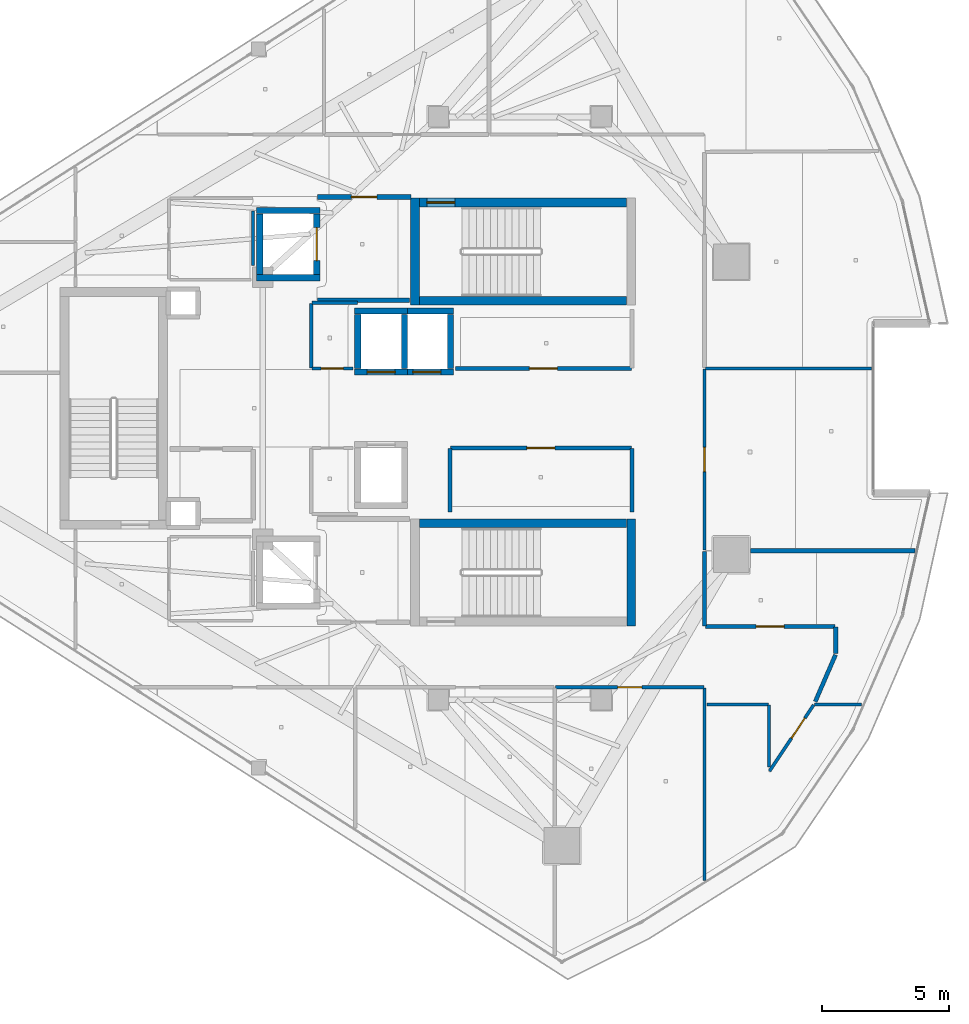
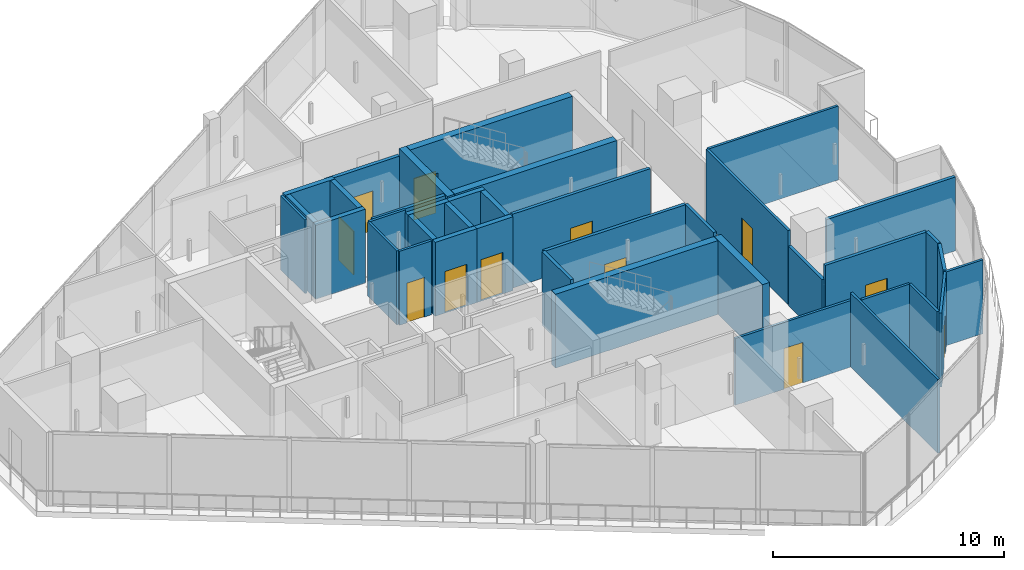
# One storey, part 16 of 23: 39 walls, 12 doors, 12 openings.
"""IFC4 building model written with IfcOpenShell, lengths in metres."""

import ifcopenshell
import ifcopenshell.guid

model = None  # the IFC model being written
_history = None  # IfcOwnerHistory: only IFC2X3 demands one
_inside = {}  # id of a spatial element -> (the spatial element, [elements in it])
_under = {}  # id of a project, library or spatial element -> (it, [spatial elements below it])
_declared = {}  # id of a project -> (the project, [libraries it declares])
_typed = {}  # id of a type object -> (the type object, [elements of that type])
_made_of = {}  # id of a material, layer set ... -> (it, [elements and type objects made of it])


def new_model(schema):
    """Start an empty IFC model of exactly this schema.

    Asked for "IFC4X3", IfcOpenShell would pick the latest addendum, in which some entities
    have other attributes; the version numbers below select the first issue.
    IFC2X3 requires an IfcOwnerHistory on every rooted entity: one is made here for all.
    """
    global model, _history
    if schema == "IFC4X3":
        model = ifcopenshell.file(schema_version=(4, 3, 0, 0))
    else:
        model = ifcopenshell.file(schema=schema)
    _inside.clear()
    _under.clear()
    _declared.clear()
    _typed.clear()
    _made_of.clear()
    _history = None
    if model.schema == "IFC2X3":
        org = make("IfcOrganization", Name="unknown")
        user = make(
            "IfcPersonAndOrganization",
            ThePerson=make("IfcPerson", FamilyName="unknown"),
            TheOrganization=org,
        )
        app = make(
            "IfcApplication",
            ApplicationDeveloper=org,
            Version="unknown",
            ApplicationFullName="unknown",
            ApplicationIdentifier="unknown",
        )
        _history = make(
            "IfcOwnerHistory",
            OwningUser=user,
            OwningApplication=app,
            ChangeAction="ADDED",
            CreationDate=0,
        )
    return model


def make(cls, **values):
    """One entity of the class cls with the attributes given. An attribute that is None is left unset."""
    return model.create_entity(
        cls, **{name: value for name, value in values.items() if value is not None}
    )


def rooted(cls, **values):
    """An entity with a GlobalId (a new one), such as an element, a storey or a relation."""
    return make(cls, GlobalId=ifcopenshell.guid.new(), OwnerHistory=_history, **values)


def si_unit(unit_type, name, prefix=None):
    """IfcSIUnit, for example si_unit("LENGTHUNIT", "METRE", prefix="MILLI")."""
    return make("IfcSIUnit", UnitType=unit_type, Prefix=prefix, Name=name)


def assignment(units):
    """IfcUnitAssignment: the units of a project."""
    return None if units is None else make("IfcUnitAssignment", Units=units)


def point(xyz):
    """IfcCartesianPoint."""
    return None if xyz is None else make("IfcCartesianPoint", Coordinates=xyz)


def direction(xyz):
    """IfcDirection."""
    return None if xyz is None else make("IfcDirection", DirectionRatios=xyz)


def frame(location, z_axis=None, x_axis=None):
    """IfcAxis2Placement3D, a coordinate frame: its origin and axes. An axis left out is left unset."""
    return make(
        "IfcAxis2Placement3D",
        Location=point(location),
        Axis=direction(z_axis),
        RefDirection=direction(x_axis),
    )


def frame_2d(location, x_axis=None):
    """IfcAxis2Placement2D, a coordinate frame in the plane: its origin and x axis."""
    return make(
        "IfcAxis2Placement2D", Location=point(location), RefDirection=direction(x_axis)
    )


def origin():
    """The frame at (0, 0, 0) with its axes left unset."""
    return frame((0.0, 0.0, 0.0))


def place(relative_to, where):
    """IfcLocalPlacement: puts the frame where relative to a parent placement (None: the world)."""
    return make(
        "IfcLocalPlacement", PlacementRelTo=relative_to, RelativePlacement=where
    )


def context(
    kind, dimensions, precision=None, world=None, true_north=None, identifier=None
):
    """IfcGeometricRepresentationContext, for example the 3D "Model" context."""
    return make(
        "IfcGeometricRepresentationContext",
        ContextIdentifier=identifier,
        ContextType=kind,
        CoordinateSpaceDimension=dimensions,
        Precision=precision,
        WorldCoordinateSystem=world,
        TrueNorth=true_north,
    )


def subcontext(parent, identifier, kind, view, scale=None):
    """IfcGeometricRepresentationSubContext, for example "Body" below "Model"."""
    return make(
        "IfcGeometricRepresentationSubContext",
        ContextIdentifier=identifier,
        ContextType=kind,
        ParentContext=parent,
        TargetScale=scale,
        TargetView=view,
    )


def project(units=None, contexts=None):
    """IfcProject with its units and contexts."""
    return rooted(
        "IfcProject",
        Name="project",
        RepresentationContexts=contexts,
        UnitsInContext=assignment(units),
    )


def spatial(cls, under=None, at=None, **own):
    """A site, building, storey or space (cls), placed at a placement, below another one or the project."""
    s = rooted(cls, ObjectPlacement=at, **own)
    if under is not None:
        _under.setdefault(under.id(), (under, []))[1].append(s)
    return s


def profile(cls, at=None, kind="AREA", **sizes):
    """A parametric profile (cls). Its sizes go by their IFC names, for example OverallWidth=200.0."""
    return make(cls, ProfileType=kind, Position=at, **sizes)


def rectangle(**sizes):
    """IfcRectangleProfileDef."""
    return profile("IfcRectangleProfileDef", **sizes)


def extrude(swept, where, along, depth):
    """IfcExtrudedAreaSolid: the profile swept, set in the frame where, extruded along a direction by depth."""
    return make(
        "IfcExtrudedAreaSolid",
        SweptArea=swept,
        Position=where,
        ExtrudedDirection=direction(along),
        Depth=depth,
    )


def shape(context_of_items, identifier, shape_type, items):
    """IfcShapeRepresentation: the items that make up one representation, for example the "Body"."""
    return make(
        "IfcShapeRepresentation",
        ContextOfItems=context_of_items,
        RepresentationIdentifier=identifier,
        RepresentationType=shape_type,
        Items=items,
    )


def material(Name=None, Category=None):
    """IfcMaterial."""
    return make("IfcMaterial", Name=Name, Category=Category)


def layer(
    of_material, thickness, ventilated=None, Name=None, Category=None, Priority=None
):
    """IfcMaterialLayer: one layer of a wall or slab, of a material (None: an air gap)."""
    return make(
        "IfcMaterialLayer",
        Material=of_material,
        LayerThickness=thickness,
        IsVentilated=ventilated,
        Name=Name,
        Category=Category,
        Priority=Priority,
    )


def layer_set(layers, Name=None):
    """IfcMaterialLayerSet."""
    return make("IfcMaterialLayerSet", MaterialLayers=layers, LayerSetName=Name)


def made_of(thing, what):
    """Note that an element or type object is made of a material, layer set ...; save() writes the relation."""
    if what is not None:
        _made_of.setdefault(what.id(), (what, []))[1].append(thing)
    return thing


def type_object(cls, material=None, **own):
    """A type object (cls), such as IfcWallType, which elements share."""
    return made_of(rooted(cls, **own), material)


def element(
    cls,
    number,
    at=None,
    inside=None,
    cuts=None,
    type_object=None,
    material=None,
    context=None,
    identifier="Body",
    shape_type=None,
    held_by="IfcProductDefinitionShape",
    body=None,
    shapes=None,
    **own,
):
    """One element of the class cls, such as IfcWall. Its Tag is "e" and its number.

    at: its placement. inside: the storey or other place that contains it. cuts: it is an
    opening in that element (IfcRelVoidsElement). A single representation is given by context,
    identifier, shape_type and body (its items); several are given by shapes. held_by: the class
    of the entity that holds the representations. save() writes the other relations.
    """
    e = rooted(cls, Tag="e%d" % number, ObjectPlacement=at, **own)
    if body is not None:
        shapes = [shape(context, identifier, shape_type, body)]
    if shapes is not None:
        e.Representation = make(held_by, Representations=shapes)
    if inside is not None:
        _inside.setdefault(inside.id(), (inside, []))[1].append(e)
    if cuts is not None:
        rooted(
            "IfcRelVoidsElement", RelatingBuildingElement=cuts, RelatedOpeningElement=e
        )
    if type_object is not None:
        _typed.setdefault(type_object.id(), (type_object, []))[1].append(e)
    return made_of(e, material)


def fill(opening, filler):
    """IfcRelFillsElement: the door or window that sits in an opening."""
    return rooted(
        "IfcRelFillsElement",
        RelatingOpeningElement=opening,
        RelatedBuildingElement=filler,
    )


def aggregate(whole, parts):
    """IfcRelAggregates: a whole, such as a stair, and the parts it consists of."""
    return rooted("IfcRelAggregates", RelatingObject=whole, RelatedObjects=parts)


def save(model, path):
    """Write the relations noted so far, then the file.

    IfcRelAggregates (storeys below a building ...), IfcRelContainedInSpatialStructure (elements
    in a storey), IfcRelDefinesByType, IfcRelAssociatesMaterial and IfcRelDeclares: one each for
    every whole, place, type object, material and project.
    """
    for whole, parts in _under.values():
        aggregate(whole, parts)
    for where, things in _inside.values():
        rooted(
            "IfcRelContainedInSpatialStructure",
            RelatedElements=things,
            RelatingStructure=where,
        )
    for kind, things in _typed.values():
        rooted("IfcRelDefinesByType", RelatedObjects=things, RelatingType=kind)
    for what, things in _made_of.values():
        rooted("IfcRelAssociatesMaterial", RelatedObjects=things, RelatingMaterial=what)
    for by, libraries in _declared.values():
        rooted("IfcRelDeclares", RelatingContext=by, RelatedDefinitions=libraries)
    model.write(path)


model = new_model("IFC4")

# Units and contexts
model_context = context("Model", 3, precision=1e-05, world=origin(), true_north=direction((0.0, 1.0)))
body_context = subcontext(model_context, "Body", "Model", "MODEL_VIEW")
ifc_project = project(units=[si_unit("LENGTHUNIT", "METRE"), si_unit("AREAUNIT", "SQUARE_METRE"), si_unit("VOLUMEUNIT", "CUBIC_METRE"), si_unit("PLANEANGLEUNIT", "RADIAN"), si_unit("MASSUNIT", "GRAM", prefix="KILO")], contexts=[model_context])

# Site, building, storey
site_placement = place(None, origin())
site = spatial("IfcSite", under=ifc_project, at=site_placement, CompositionType="ELEMENT")
building_placement = place(site_placement, origin())
building = spatial("IfcBuilding", under=site, at=building_placement, Name="Qorvath Tower", CompositionType="ELEMENT")
storey_placement = place(building_placement, frame((0.0, 0.0, 310.199951171875)))
storey = spatial("IfcBuildingStorey", under=building, at=storey_placement, Name="L72", CompositionType="ELEMENT", Elevation=310.199951171875)

# Wall
ifc_material_1 = material(Name="Gypsum shaftliner on steel studs", Category="steel")
ifc_layer_1 = layer(ifc_material_1, 0.179931640625)
ifc_layer_set_1 = layer_set([ifc_layer_1], Name="FW-LOBBY")
wall_type_1 = type_object("IfcWallType", Name="FW-LOBBY", PredefinedType="PARTITIONING", material=ifc_layer_set_1)
wall_1_placement = place(storey_placement, frame((-28.35498046875, 4.25, 0.0), z_axis=(0.0, 0.0, 1.0), x_axis=(1.0, 0.0, 0.0)))
element("IfcWall", 1, at=wall_1_placement, inside=storey, type_object=wall_type_1, Name="Interior Partition IW-T1-L72-001", PredefinedType="PARTITIONING", context=body_context, shape_type="SweptSolid", body=[
    extrude(rectangle(XDim=3.6220703125, YDim=0.179931640625, at=frame_2d((1.81103515625, 0.0))), origin(), (0.0, 0.0, 1.0), 3.91015625),
])

# Wall, opening, door
wall_2_placement = place(storey_placement, frame((-24.68408203125, 8.300048828125, 0.0), z_axis=(0.0, 0.0, 1.0), x_axis=(-1.0, 0.0, 0.0)))
wall_2 = element("IfcWall", 2, at=wall_2_placement, inside=storey, type_object=wall_type_1, Name="Interior Partition IW-T1-L72-002", PredefinedType="PARTITIONING", context=body_context, shape_type="SweptSolid", body=[
    extrude(rectangle(XDim=3.6708984375, YDim=0.179931640625, at=frame_2d((1.83544921875, 0.0))), origin(), (0.0, 0.0, 1.0), 3.529052734375),
])
opening_1_placement = place(wall_2_placement, frame((1.33544921875, 0.0, 0.0)))
opening_1 = element("IfcOpeningElement", 3, at=opening_1_placement, cuts=wall_2, Name="Opening D-T1-L72-19", PredefinedType="OPENING", context=body_context, shape_type="SweptSolid", body=[
    extrude(rectangle(XDim=1.0, YDim=2.14990234375, at=frame_2d((0.5, 1.074951171875))), frame((0.0, 0.10009765625, 0.0), z_axis=(0.0, -1.0, 0.0), x_axis=(1.0, 0.0, 0.0)), (0.0, 0.0, 1.0), 0.199951171875),
])
ifc_material_2 = material(Name="Painted galvanised hollow metal", Category="steel")
door_type_1 = type_object("IfcDoorType", Name="FD-60", OperationType="NOTDEFINED", PredefinedType="DOOR", material=ifc_material_2)
door_1_placement = place(opening_1_placement, origin())
door_1 = element("IfcDoor", 4, at=door_1_placement, inside=storey, type_object=door_type_1, Name="Lobby Fire Service Elevator North Door D-T1-L72-19", OperationType="SINGLE_SWING_RIGHT", OverallHeight=2.14990234375, OverallWidth=1.0, PredefinedType="DOOR", context=body_context, shape_type="SweptSolid", body=[
    extrude(rectangle(XDim=1.0, YDim=2.14990234375, at=frame_2d((0.5, 1.074951171875))), frame((0.0, 0.02490234375, 0.0), z_axis=(0.0, -1.0, 0.0), x_axis=(1.0, 0.0, 0.0)), (0.0, 0.0, 1.0), 0.050048828125),
])
fill(opening_1, door_1)

ifc_material_3 = material(Name="Double acoustic gypsum board on steel studs", Category="steel")
ifc_layer_2 = layer(ifc_material_3, 0.159912109375)
ifc_layer_set_2 = layer_set([ifc_layer_2], Name="IW-ACOUSTIC-160")
wall_type_2 = type_object("IfcWallType", Name="IW-ACOUSTIC-160", PredefinedType="PARTITIONING", material=ifc_layer_set_2)
wall_3_placement = place(storey_placement, frame((-22.933837890625, 1.56005859375, 0.0), z_axis=(0.0, 0.0, 1.0), x_axis=(1.0, 0.0, 0.0)))
wall_3 = element("IfcWall", 5, at=wall_3_placement, inside=storey, type_object=wall_type_2, Name="Interior Partition IW-T1-L72-013", PredefinedType="PARTITIONING", context=body_context, shape_type="SweptSolid", body=[
    extrude(rectangle(XDim=6.908935546875, YDim=0.159912109375, at=frame_2d((3.45458984375, 0.0))), origin(), (0.0, 0.0, 1.0), 3.91015625),
])
opening_2_placement = place(wall_3_placement, frame((2.904541015625, 0.0, 0.0)))
opening_2 = element("IfcOpeningElement", 6, at=opening_2_placement, cuts=wall_3, Name="Opening D-T1-L72-03", PredefinedType="OPENING", context=body_context, shape_type="SweptSolid", body=[
    extrude(rectangle(XDim=1.10009765625, YDim=2.14990234375, at=frame_2d((0.550048828125, 1.074951171875))), frame((0.0, 0.08984375, 0.0), z_axis=(0.0, -1.0, 0.0), x_axis=(1.0, 0.0, 0.0)), (0.0, 0.0, 1.0), 0.179931640625),
])
ifc_material_4 = material(Name="Anodised aluminium acoustic framed glass", Category="aluminium")
door_type_2 = type_object("IfcDoorType", Name="D-03", OperationType="NOTDEFINED", PredefinedType="DOOR", material=ifc_material_4)
door_2_placement = place(opening_2_placement, origin())
door_2 = element("IfcDoor", 7, at=door_2_placement, inside=storey, type_object=door_type_2, Name="L72-RCN North Executive Support Office Door D-T1-L72-03", OperationType="SINGLE_SWING_RIGHT", OverallHeight=2.14990234375, OverallWidth=1.10009765625, PredefinedType="DOOR", context=body_context, shape_type="SweptSolid", body=[
    extrude(rectangle(XDim=1.10009765625, YDim=2.14990234375, at=frame_2d((0.550048828125, 1.074951171875))), frame((0.0, 0.02490234375, 0.0), z_axis=(0.0, -1.0, 0.0), x_axis=(1.0, 0.0, 0.0)), (0.0, 0.0, 1.0), 0.050048828125),
])
fill(opening_2, door_2)

# Walls
for number, where, z_axis, x_axis, name in (
    (8, (-23.14990234375, -1.585205078125, 0.0), (0.0, 0.0, 1.0), (0.0, -1.0, 0.0), "Interior Partition IW-T1-L72-015"),
    (9, (-16.0, -4.0751953125, 0.0), (0.0, 0.0, 1.0), (0.0, 1.0, 0.0), "Interior Partition IW-T1-L72-016"),
):
    element("IfcWall", number, at=place(storey_placement, frame(where, z_axis=z_axis, x_axis=x_axis)), inside=storey, type_object=wall_type_2, Name=name, PredefinedType="PARTITIONING", context=body_context, shape_type="SweptSolid", body=[
        extrude(rectangle(XDim=2.489990234375, YDim=0.159912109375, at=frame_2d((1.2451171875, 0.0))), origin(), (0.0, 0.0, 1.0), 3.91015625),
    ])

# Wall, opening, door
wall_4_placement = place(storey_placement, frame((-16.02490234375, -1.56005859375, 0.0), z_axis=(0.0, 0.0, 1.0), x_axis=(-1.0, 0.0, 0.0)))
wall_4 = element("IfcWall", 10, at=wall_4_placement, inside=storey, type_object=wall_type_2, Name="Interior Partition IW-T1-L72-017", PredefinedType="PARTITIONING", context=body_context, shape_type="SweptSolid", body=[
    extrude(rectangle(XDim=7.10009765625, YDim=0.159912109375, at=frame_2d((3.550048828125, 0.0))), origin(), (0.0, 0.0, 1.0), 3.91015625),
])
opening_3_placement = place(wall_4_placement, frame((3.0, 0.0, 0.0)))
opening_3 = element("IfcOpeningElement", 11, at=opening_3_placement, cuts=wall_4, Name="Opening D-T1-L72-04", PredefinedType="OPENING", context=body_context, shape_type="SweptSolid", body=[
    extrude(rectangle(XDim=1.10009765625, YDim=2.14990234375, at=frame_2d((0.550048828125, 1.074951171875))), frame((0.0, 0.08984375, 0.0), z_axis=(0.0, -1.0, 0.0), x_axis=(1.0, 0.0, 0.0)), (0.0, 0.0, 1.0), 0.179931640625),
])
door_3_placement = place(opening_3_placement, origin())
door_3 = element("IfcDoor", 12, at=door_3_placement, inside=storey, type_object=door_type_2, Name="L72-RCS South Executive Support Office Door D-T1-L72-04", OperationType="SINGLE_SWING_LEFT", OverallHeight=2.14990234375, OverallWidth=1.10009765625, PredefinedType="DOOR", context=body_context, shape_type="SweptSolid", body=[
    extrude(rectangle(XDim=1.10009765625, YDim=2.14990234375, at=frame_2d((0.550048828125, 1.074951171875))), frame((0.0, 0.02490234375, 0.0), z_axis=(0.0, -1.0, 0.0), x_axis=(1.0, 0.0, 0.0)), (0.0, 0.0, 1.0), 0.050048828125),
])
fill(opening_3, door_3)

# Walls
wall_5_placement = place(storey_placement, frame((-4.883544921875, -5.596923828125, 0.0), z_axis=(0.0, 0.0, 1.0), x_axis=(-1.0, 0.0, 0.0)))
element("IfcWall", 13, at=wall_5_placement, inside=storey, type_object=wall_type_2, Name="Interior Partition IW-T1-L72-044", PredefinedType="PARTITIONING", context=body_context, shape_type="SweptSolid", body=[
    extrude(rectangle(XDim=6.4482421875, YDim=0.159912109375, at=frame_2d((3.22412109375, 0.0))), origin(), (0.0, 0.0, 1.0), 3.91015625),
])
wall_6_placement = place(storey_placement, frame((-13.14208984375, -5.621826171875, 0.0), z_axis=(0.0, 0.0, 1.0), x_axis=(0.0, -1.0, 0.0)))
element("IfcWall", 14, at=wall_6_placement, inside=storey, type_object=wall_type_2, Name="Interior Partition IW-T1-L72-045", PredefinedType="PARTITIONING", context=body_context, shape_type="SweptSolid", body=[
    extrude(rectangle(XDim=2.92529296875, YDim=0.159912109375, at=frame_2d((1.462646484375, 0.0))), origin(), (0.0, 0.0, 1.0), 3.130126953125),
])

# Wall, opening, door
wall_7_placement = place(storey_placement, frame((-13.1171875, -8.572021484375, 0.0), z_axis=(0.0, 0.0, 1.0), x_axis=(1.0, 0.0, 0.0)))
wall_7 = element("IfcWall", 15, at=wall_7_placement, inside=storey, type_object=wall_type_2, Name="Interior Partition IW-T1-L72-046", PredefinedType="PARTITIONING", context=body_context, shape_type="SweptSolid", body=[
    extrude(rectangle(XDim=5.100341796875, YDim=0.159912109375, at=frame_2d((2.55029296875, 0.0))), origin(), (0.0, 0.0, 1.0), 3.91015625),
])
opening_4_placement = place(wall_7_placement, frame((2.000244140625, 0.0, 0.0)))
opening_4 = element("IfcOpeningElement", 16, at=opening_4_placement, cuts=wall_7, Name="Opening D-T1-L72-13", PredefinedType="OPENING", context=body_context, shape_type="SweptSolid", body=[
    extrude(rectangle(XDim=1.10009765625, YDim=2.14990234375, at=frame_2d((0.550048828125, 1.074951171875))), frame((0.0, 0.08984375, 0.0), z_axis=(0.0, -1.0, 0.0), x_axis=(1.0, 0.0, 0.0)), (0.0, 0.0, 1.0), 0.179931640625),
])
door_4_placement = place(opening_4_placement, origin())
door_4 = element("IfcDoor", 17, at=door_4_placement, inside=storey, type_object=door_type_2, Name="L72-08 Digital Visualization Suite Door D-T1-L72-13", OperationType="SINGLE_SWING_RIGHT", OverallHeight=2.14990234375, OverallWidth=1.10009765625, PredefinedType="DOOR", context=body_context, shape_type="SweptSolid", body=[
    extrude(rectangle(XDim=1.10009765625, YDim=2.14990234375, at=frame_2d((0.550048828125, 1.074951171875))), frame((0.0, 0.02490234375, 0.0), z_axis=(0.0, -1.0, 0.0), x_axis=(1.0, 0.0, 0.0)), (0.0, 0.0, 1.0), 0.050048828125),
])
fill(opening_4, door_4)

# Walls
wall_8_placement = place(storey_placement, frame((-7.991943359375, -9.640869140625, 0.0), z_axis=(0.0, 0.0, 1.0), x_axis=(0.0, 1.0, 0.0)))
element("IfcWall", 18, at=wall_8_placement, inside=storey, type_object=wall_type_2, Name="Interior Partition IW-T1-L72-047", PredefinedType="PARTITIONING", context=body_context, shape_type="SweptSolid", body=[
    extrude(rectangle(XDim=1.0439453125, YDim=0.159912109375, at=frame_2d((0.52197265625, 0.0))), origin(), (0.0, 0.0, 1.0), 3.91015625),
])
wall_9_placement = place(storey_placement, frame((-8.79833984375, -11.525146484375, 0.0), z_axis=(0.0, 0.0, 1.0), x_axis=(0.397860715008, 0.917445830255, 0.0)))
element("IfcWall", 19, at=wall_9_placement, inside=storey, type_object=wall_type_2, Name="Interior Partition IW-T1-L72-048", PredefinedType="PARTITIONING", context=body_context, shape_type="SweptSolid", body=[
    extrude(rectangle(XDim=2.001708984375, YDim=0.159912109375, at=frame_2d((1.0009765625, 0.0))), origin(), (0.0, 0.0, 1.0), 3.91015625),
])
ifc_material_5 = material(Name="Gypsum board on metal studs with mineral wool", Category="gypsum")
ifc_layer_3 = layer(ifc_material_5, 0.125)
ifc_layer_set_3 = layer_set([ifc_layer_3], Name="IW-PART-125")
wall_type_3 = type_object("IfcWallType", Name="IW-PART-125", PredefinedType="PARTITIONING", material=ifc_layer_set_3)
wall_10_placement = place(storey_placement, frame((-28.60009765625, 4.125, 0.0), z_axis=(0.0, 0.0, 1.0), x_axis=(0.0, -1.0, 0.0)))
element("IfcWall", 20, at=wall_10_placement, inside=storey, type_object=wall_type_3, Name="Interior Partition IW-T1-L72-018", PredefinedType="PARTITIONING", context=body_context, shape_type="SweptSolid", body=[
    extrude(rectangle(XDim=2.539794921875, YDim=0.125, at=frame_2d((1.27001953125, 0.0))), origin(), (0.0, 0.0, 1.0), 3.91015625),
])

# Wall, opening, door
wall_11_placement = place(storey_placement, frame((-28.5751953125, 1.56005859375, 0.0), z_axis=(0.0, 0.0, 1.0), x_axis=(1.0, 0.0, 0.0)))
wall_11 = element("IfcWall", 21, at=wall_11_placement, inside=storey, type_object=wall_type_3, Name="Interior Partition IW-T1-L72-019", PredefinedType="PARTITIONING", context=body_context, shape_type="SweptSolid", body=[
    extrude(rectangle(XDim=1.609130859375, YDim=0.125, at=frame_2d((0.8046875, 0.0))), origin(), (0.0, 0.0, 1.0), 3.91015625),
])
opening_5_placement = place(wall_11_placement, frame((0.364501953125, 0.0, 0.0)))
opening_5 = element("IfcOpeningElement", 22, at=opening_5_placement, cuts=wall_11, Name="Opening D-T1-L72-05", PredefinedType="OPENING", context=body_context, shape_type="SweptSolid", body=[
    extrude(rectangle(XDim=0.8798828125, YDim=2.10009765625, at=frame_2d((0.43994140625, 1.050048828125))), frame((0.0, 0.072509765625, 0.0), z_axis=(0.0, -1.0, 0.0), x_axis=(1.0, 0.0, 0.0)), (0.0, 0.0, 1.0), 0.14501953125),
])
ifc_material_6 = material(Name="Solid-core oak with acoustic drop seal", Category="wood")
door_type_3 = type_object("IfcDoorType", Name="D-02", OperationType="NOTDEFINED", PredefinedType="DOOR", material=ifc_material_6)
door_5_placement = place(opening_5_placement, origin())
door_5 = element("IfcDoor", 23, at=door_5_placement, inside=storey, type_object=door_type_3, Name="L72-RCWN Executive Archive Suite Door D-T1-L72-05", OperationType="SINGLE_SWING_RIGHT", OverallHeight=2.10009765625, OverallWidth=0.8798828125, PredefinedType="DOOR", context=body_context, shape_type="SweptSolid", body=[
    extrude(rectangle(XDim=0.8798828125, YDim=2.10009765625, at=frame_2d((0.43994140625, 1.050048828125))), frame((0.0, 0.02490234375, 0.0), z_axis=(0.0, -1.0, 0.0), x_axis=(1.0, 0.0, 0.0)), (0.0, 0.0, 1.0), 0.050048828125),
])
fill(opening_5, door_5)

# Walls
wall_12_placement = place(storey_placement, frame((-26.77490234375, 4.14990234375, 0.0), z_axis=(0.0, 0.0, 1.0), x_axis=(-1.0, 0.0, 0.0)))
element("IfcWall", 24, at=wall_12_placement, inside=storey, type_object=wall_type_3, Name="Interior Partition IW-T1-L72-020", PredefinedType="PARTITIONING", context=body_context, shape_type="SweptSolid", body=[
    extrude(rectangle(XDim=1.80029296875, YDim=0.125, at=frame_2d((0.900146484375, 0.0))), origin(), (0.0, 0.0, 1.0), 3.91015625),
])
wall_13_placement = place(storey_placement, frame((-13.14990234375, -18.548828125, 0.0), z_axis=(0.0, 0.0, 1.0), x_axis=(0.0, 1.0, 0.0)))
element("IfcWall", 25, at=wall_13_placement, inside=storey, type_object=wall_type_3, Name="Interior Partition IW-T1-L72-038", PredefinedType="PARTITIONING", context=body_context, shape_type="SweptSolid", body=[
    extrude(rectangle(XDim=7.56591796875, YDim=0.125, at=frame_2d((3.782958984375, 0.0))), origin(), (0.0, 0.0, 1.0), 3.91015625),
])

# Wall, opening, door
wall_14_placement = place(storey_placement, frame((-13.1748046875, -10.9580078125, 0.0), z_axis=(0.0, 0.0, 1.0), x_axis=(-1.0, 0.0, 0.0)))
wall_14 = element("IfcWall", 26, at=wall_14_placement, inside=storey, type_object=wall_type_3, Name="Interior Partition IW-T1-L72-039", PredefinedType="PARTITIONING", context=body_context, shape_type="SweptSolid", body=[
    extrude(rectangle(XDim=5.819091796875, YDim=0.125, at=frame_2d((2.90966796875, 0.0))), origin(), (0.0, 0.0, 1.0), 3.529052734375),
])
opening_6_placement = place(wall_14_placement, frame((2.4345703125, 0.0, 0.0)))
opening_6 = element("IfcOpeningElement", 27, at=opening_6_placement, cuts=wall_14, Name="Opening D-T1-L72-11", PredefinedType="OPENING", context=body_context, shape_type="SweptSolid", body=[
    extrude(rectangle(XDim=0.949951171875, YDim=2.14990234375, at=frame_2d((0.47509765625, 1.074951171875))), frame((0.0, 0.072509765625, 0.0), z_axis=(0.0, -1.0, 0.0), x_axis=(1.0, 0.0, 0.0)), (0.0, 0.0, 1.0), 0.14501953125),
])
ifc_material_7 = material(Name="Solid-core American white oak veneer", Category="wood")
door_type_4 = type_object("IfcDoorType", Name="D-01", OperationType="NOTDEFINED", PredefinedType="DOOR", material=ifc_material_7)
door_6_placement = place(opening_6_placement, origin())
door_6 = element("IfcDoor", 28, at=door_6_placement, inside=storey, type_object=door_type_4, Name="L72-06 Executive Partner Office Door D-T1-L72-11", OperationType="SINGLE_SWING_RIGHT", OverallHeight=2.14990234375, OverallWidth=0.949951171875, PredefinedType="DOOR", context=body_context, shape_type="SweptSolid", body=[
    extrude(rectangle(XDim=0.949951171875, YDim=2.14990234375, at=frame_2d((0.47509765625, 1.074951171875))), frame((0.0, 0.02490234375, 0.0), z_axis=(0.0, -1.0, 0.0), x_axis=(1.0, 0.0, 0.0)), (0.0, 0.0, 1.0), 0.050048828125),
])
fill(opening_6, door_6)

# Wall
wall_15_placement = place(storey_placement, frame((-6.9716796875, -11.633056640625, 0.0), z_axis=(0.0, 0.0, 1.0), x_axis=(-1.0, 0.0, 0.0)))
element("IfcWall", 29, at=wall_15_placement, inside=storey, type_object=wall_type_3, Name="Interior Partition IW-T1-L72-040", PredefinedType="PARTITIONING", context=body_context, shape_type="SweptSolid", body=[
    extrude(rectangle(XDim=1.848388671875, YDim=0.125, at=frame_2d((0.92431640625, 0.0))), origin(), (0.0, 0.0, 1.0), 3.91015625),
])

# Wall, opening, door
wall_16_placement = place(storey_placement, frame((-10.593994140625, -14.2587890625, 0.0), z_axis=(0.0, 0.0, 1.0), x_axis=(0.554358141875, 0.832278229042, 0.0)))
wall_16 = element("IfcWall", 30, at=wall_16_placement, inside=storey, type_object=wall_type_3, Name="Interior Partition IW-T1-L72-041", PredefinedType="PARTITIONING", context=body_context, shape_type="SweptSolid", body=[
    extrude(rectangle(XDim=3.1298828125, YDim=0.125, at=frame_2d((1.56494140625, 0.0))), origin(), (0.0, 0.0, 1.0), 3.91015625),
])
opening_7_placement = place(wall_16_placement, frame((1.55712890625, 0.0, 0.0)))
opening_7 = element("IfcOpeningElement", 31, at=opening_7_placement, cuts=wall_16, Name="Opening D-T1-L72-12", PredefinedType="OPENING", context=body_context, shape_type="SweptSolid", body=[
    extrude(rectangle(XDim=0.949951171875, YDim=2.14990234375, at=frame_2d((0.47509765625, 1.074951171875))), frame((0.0, 0.072509765625, 0.0), z_axis=(0.0, -1.0, 0.0), x_axis=(1.0, 0.0, 0.0)), (0.0, 0.0, 1.0), 0.14501953125),
])
door_7_placement = place(opening_7_placement, origin())
door_7 = element("IfcDoor", 32, at=door_7_placement, inside=storey, type_object=door_type_4, Name="L72-07 Breakout Reading Alcove Door D-T1-L72-12", OperationType="SINGLE_SWING_LEFT", OverallHeight=2.14990234375, OverallWidth=0.949951171875, PredefinedType="DOOR", context=body_context, shape_type="SweptSolid", body=[
    extrude(rectangle(XDim=0.949951171875, YDim=2.14990234375, at=frame_2d((0.47509765625, 1.074951171875))), frame((0.0, 0.02490234375, 0.0), z_axis=(0.0, -1.0, 0.0), x_axis=(1.0, 0.0, 0.0)), (0.0, 0.0, 1.0), 0.050048828125),
])
fill(opening_7, door_7)

# Walls
wall_17_placement = place(storey_placement, frame((-10.60791015625, -14.101318359375, 0.0), z_axis=(0.0, 0.0, 1.0), x_axis=(0.0, 1.0, 0.0)))
element("IfcWall", 33, at=wall_17_placement, inside=storey, type_object=wall_type_3, Name="Interior Partition IW-T1-L72-042", PredefinedType="PARTITIONING", context=body_context, shape_type="SweptSolid", body=[
    extrude(rectangle(XDim=2.443115234375, YDim=0.125, at=frame_2d((1.2216796875, 0.0))), origin(), (0.0, 0.0, 1.0), 3.91015625),
])
wall_18_placement = place(storey_placement, frame((-10.6328125, -11.633056640625, 0.0), z_axis=(0.0, 0.0, 1.0), x_axis=(-1.0, 0.0, 0.0)))
element("IfcWall", 34, at=wall_18_placement, inside=storey, type_object=wall_type_3, Name="Interior Partition IW-T1-L72-043", PredefinedType="PARTITIONING", context=body_context, shape_type="SweptSolid", body=[
    extrude(rectangle(XDim=2.406982421875, YDim=0.125, at=frame_2d((1.20361328125, 0.0))), origin(), (0.0, 0.0, 1.0), 3.91015625),
])
wall_19_placement = place(storey_placement, frame((-6.59521484375, 1.567626953125, 0.0), z_axis=(0.0, 0.0, 1.0), x_axis=(-1.0, 0.0, 0.0)))
element("IfcWall", 35, at=wall_19_placement, inside=storey, type_object=wall_type_3, Name="Interior Partition IW-T1-L72-049", PredefinedType="PARTITIONING", context=body_context, shape_type="SweptSolid", body=[
    extrude(rectangle(XDim=6.52197265625, YDim=0.125, at=frame_2d((3.260986328125, 0.0))), origin(), (0.0, 0.0, 1.0), 3.91015625),
])

# Wall, opening, door
wall_20_placement = place(storey_placement, frame((-13.14208984375, 1.54248046875, 0.0), z_axis=(0.0, 0.0, 1.0), x_axis=(0.0, -1.0, 0.0)))
wall_20 = element("IfcWall", 36, at=wall_20_placement, inside=storey, type_object=wall_type_3, Name="Interior Partition IW-T1-L72-050", PredefinedType="PARTITIONING", context=body_context, shape_type="SweptSolid", body=[
    extrude(rectangle(XDim=7.1064453125, YDim=0.125, at=frame_2d((3.55322265625, 0.0))), origin(), (0.0, 0.0, 1.0), 3.91015625),
])
opening_8_placement = place(wall_20_placement, frame((3.078369140625, 0.0, 0.0)))
opening_8 = element("IfcOpeningElement", 37, at=opening_8_placement, cuts=wall_20, Name="Opening D-T1-L72-14", PredefinedType="OPENING", context=body_context, shape_type="SweptSolid", body=[
    extrude(rectangle(XDim=0.949951171875, YDim=2.14990234375, at=frame_2d((0.47509765625, 1.074951171875))), frame((0.0, 0.072509765625, 0.0), z_axis=(0.0, -1.0, 0.0), x_axis=(1.0, 0.0, 0.0)), (0.0, 0.0, 1.0), 0.14501953125),
])
door_8_placement = place(opening_8_placement, origin())
door_8 = element("IfcDoor", 38, at=door_8_placement, inside=storey, type_object=door_type_4, Name="L72-09 Quantitative Research Studio Door D-T1-L72-14", OperationType="SINGLE_SWING_LEFT", OverallHeight=2.14990234375, OverallWidth=0.949951171875, PredefinedType="DOOR", context=body_context, shape_type="SweptSolid", body=[
    extrude(rectangle(XDim=0.949951171875, YDim=2.14990234375, at=frame_2d((0.47509765625, 1.074951171875))), frame((0.0, 0.02490234375, 0.0), z_axis=(0.0, -1.0, 0.0), x_axis=(1.0, 0.0, 0.0)), (0.0, 0.0, 1.0), 0.050048828125),
])
fill(opening_8, door_8)

# Walls
ifc_material_8 = material(Name="Moisture-resistant cement board on metal studs", Category="gypsum")
ifc_layer_4 = layer(ifc_material_8, 0.110107421875)
ifc_layer_set_4 = layer_set([ifc_layer_4], Name="IW-WC-110")
wall_type_4 = type_object("IfcWallType", Name="IW-WC-110", PredefinedType="PARTITIONING", material=ifc_layer_set_4)
wall_21_placement = place(storey_placement, frame((-30.8798828125, 5.614990234375, 0.0), z_axis=(0.0, 0.0, 1.0), x_axis=(0.0, 1.0, 0.0)))
element("IfcWall", 39, at=wall_21_placement, inside=storey, type_object=wall_type_4, Name="Interior Partition IW-T1-L72-007", PredefinedType="PARTITIONING", context=body_context, shape_type="SweptSolid", body=[
    extrude(rectangle(XDim=2.1279296875, YDim=0.110107421875, at=frame_2d((1.06396484375, 0.0))), origin(), (0.0, 0.0, 1.0), 3.91015625),
])
ifc_material_9 = material(Name="Concrete C60/75", Category="concrete")
ifc_layer_5 = layer(ifc_material_9, 0.260009765625)
ifc_layer_set_5 = layer_set([ifc_layer_5], Name="SW-SHAFT")
wall_type_5 = type_object("IfcWallType", Name="SW-SHAFT", PredefinedType="SHEAR", material=ifc_layer_set_5)
for number, where, z_axis, x_axis, name in (
    (40, (-28.260009765625, 5.1298828125, 0.0), (0.0, 0.0, 1.0), (-1.0, 0.0, 0.0), "Hoistway Wall FSAE-1 L72 S"),
    (41, (-30.739990234375, 7.77001953125, 0.0), (0.0, 0.0, 1.0), (1.0, 0.0, 0.0), "Hoistway Wall FSAE-1 L72 N"),
):
    element("IfcWall", number, at=place(storey_placement, frame(where, z_axis=z_axis, x_axis=x_axis)), inside=storey, type_object=wall_type_5, Name=name, PredefinedType="SHEAR", context=body_context, shape_type="SweptSolid", body=[
        extrude(rectangle(XDim=2.47998046875, YDim=0.239990234375, at=frame_2d((1.239990234375, 0.0))), origin(), (0.0, 0.0, 1.0), 3.91015625),
    ])
wall_22_placement = place(storey_placement, frame((-30.6201171875, 5.261962890625, 0.0), z_axis=(0.0, 0.0, 1.0), x_axis=(0.0, 1.0, 0.0)))
element("IfcWall", 42, at=wall_22_placement, inside=storey, type_object=wall_type_5, Name="Hoistway Wall FSAE-1 L72 W", PredefinedType="SHEAR", context=body_context, shape_type="SweptSolid", body=[
    extrude(rectangle(XDim=2.3759765625, YDim=0.239990234375, at=frame_2d((1.18798828125, 0.0))), origin(), (0.0, 0.0, 1.0), 3.91015625),
])

# Wall, opening, door
wall_23_placement = place(storey_placement, frame((-28.3798828125, 7.637939453125, 0.0), z_axis=(0.0, 0.0, 1.0), x_axis=(0.0, -1.0, 0.0)))
wall_23 = element("IfcWall", 43, at=wall_23_placement, inside=storey, type_object=wall_type_5, Name="Hoistway Wall FSAE-1 L72 E", PredefinedType="SHEAR", context=body_context, shape_type="SweptSolid", body=[
    extrude(rectangle(XDim=2.3759765625, YDim=0.239990234375, at=frame_2d((1.18798828125, 0.0))), origin(), (0.0, 0.0, 1.0), 3.91015625),
])
opening_9_placement = place(wall_23_placement, frame((0.537841796875, 0.0, 0.0)))
opening_9 = element("IfcOpeningElement", 44, at=opening_9_placement, cuts=wall_23, Name="Opening LD-FSAE-1-L72", PredefinedType="OPENING", context=body_context, shape_type="SweptSolid", body=[
    extrude(rectangle(XDim=1.300048828125, YDim=2.300048828125, at=frame_2d((0.64990234375, 1.14990234375))), frame((0.0, 0.1298828125, 0.0), z_axis=(0.0, -1.0, 0.0), x_axis=(1.0, 0.0, 0.0)), (0.0, 0.0, 1.0), 0.260009765625),
])
ifc_material_10 = material(Name="Brushed stainless steel AISI 316", Category="steel")
door_type_5 = type_object("IfcDoorType", Name="LD-02", OperationType="NOTDEFINED", PredefinedType="DOOR", material=ifc_material_10)
door_9_placement = place(opening_9_placement, origin())
door_9 = element("IfcDoor", 45, at=door_9_placement, inside=storey, type_object=door_type_5, Name="Elevator Landing Sliding Door LD-FSAE-1-L72", OperationType="DOUBLE_DOOR_SLIDING", OverallHeight=2.300048828125, OverallWidth=1.300048828125, PredefinedType="DOOR", context=body_context, shape_type="SweptSolid", body=[
    extrude(rectangle(XDim=1.300048828125, YDim=2.300048828125, at=frame_2d((0.64990234375, 1.14990234375))), frame((0.0, 0.02490234375, 0.0), z_axis=(0.0, -1.0, 0.0), x_axis=(1.0, 0.0, 0.0)), (0.0, 0.0, 1.0), 0.050048828125),
])
fill(opening_9, door_9)

wall_24_placement = place(storey_placement, frame((-24.81005859375, 1.429931640625, 0.0), z_axis=(0.0, 0.0, 1.0), x_axis=(-1.0, 0.0, 0.0)))
wall_24 = element("IfcWall", 46, at=wall_24_placement, inside=storey, type_object=wall_type_5, Name="Hoistway Wall PH-1 L72 S", PredefinedType="SHEAR", context=body_context, shape_type="SweptSolid", body=[
    extrude(rectangle(XDim=2.079833984375, YDim=0.239990234375, at=frame_2d((1.0400390625, 0.0))), origin(), (0.0, 0.0, 1.0), 3.91015625),
])
opening_10_placement = place(wall_24_placement, frame((0.489990234375, 0.0, 0.0)))
opening_10 = element("IfcOpeningElement", 47, at=opening_10_placement, cuts=wall_24, Name="Opening LD-PH-1-L72", PredefinedType="OPENING", context=body_context, shape_type="SweptSolid", body=[
    extrude(rectangle(XDim=1.10009765625, YDim=2.199951171875, at=frame_2d((0.550048828125, 1.10009765625))), frame((0.0, 0.1298828125, 0.0), z_axis=(0.0, -1.0, 0.0), x_axis=(1.0, 0.0, 0.0)), (0.0, 0.0, 1.0), 0.260009765625),
])
ifc_material_11 = material(Name="Brushed stainless steel AISI 316", Category="steel")
door_type_6 = type_object("IfcDoorType", Name="LD-01", OperationType="NOTDEFINED", PredefinedType="DOOR", material=ifc_material_11)
door_10_placement = place(opening_10_placement, origin())
door_10 = element("IfcDoor", 48, at=door_10_placement, inside=storey, type_object=door_type_6, Name="Elevator Landing Sliding Door LD-PH-1-L72", OperationType="DOUBLE_DOOR_SLIDING", OverallHeight=2.199951171875, OverallWidth=1.10009765625, PredefinedType="DOOR", context=body_context, shape_type="SweptSolid", body=[
    extrude(rectangle(XDim=1.10009765625, YDim=2.199951171875, at=frame_2d((0.550048828125, 1.10009765625))), frame((0.0, 0.02490234375, 0.0), z_axis=(0.0, -1.0, 0.0), x_axis=(1.0, 0.0, 0.0)), (0.0, 0.0, 1.0), 0.050048828125),
])
fill(opening_10, door_10)

# Walls
wall_25_placement = place(storey_placement, frame((-26.889892578125, 3.820068359375, 0.0), z_axis=(0.0, 0.0, 1.0), x_axis=(1.0, 0.0, 0.0)))
element("IfcWall", 49, at=wall_25_placement, inside=storey, type_object=wall_type_5, Name="Hoistway Wall PH-1 L72 N", PredefinedType="SHEAR", context=body_context, shape_type="SweptSolid", body=[
    extrude(rectangle(XDim=2.079833984375, YDim=0.239990234375, at=frame_2d((1.0400390625, 0.0))), origin(), (0.0, 0.0, 1.0), 3.91015625),
])
for number, where, z_axis, x_axis, name in (
    (50, (-26.77001953125, 1.56201171875, 0.0), (0.0, 0.0, 1.0), (0.0, 1.0, 0.0), "Hoistway Wall PH-1 L72 W"),
    (51, (-24.929931640625, 3.68798828125, 0.0), (0.0, 0.0, 1.0), (0.0, -1.0, 0.0), "Hoistway Wall PH-1 L72 E"),
):
    element("IfcWall", number, at=place(storey_placement, frame(where, z_axis=z_axis, x_axis=x_axis)), inside=storey, type_object=wall_type_5, Name=name, PredefinedType="SHEAR", context=body_context, shape_type="SweptSolid", body=[
        extrude(rectangle(XDim=2.1259765625, YDim=0.239990234375, at=frame_2d((1.06298828125, 0.0))), origin(), (0.0, 0.0, 1.0), 3.91015625),
    ])

# Wall, opening, door
wall_26_placement = place(storey_placement, frame((-23.010009765625, 1.429931640625, 0.0), z_axis=(0.0, 0.0, 1.0), x_axis=(-1.0, 0.0, 0.0)))
wall_26 = element("IfcWall", 52, at=wall_26_placement, inside=storey, type_object=wall_type_5, Name="Hoistway Wall PH-2 L72 S", PredefinedType="SHEAR", context=body_context, shape_type="SweptSolid", body=[
    extrude(rectangle(XDim=1.800048828125, YDim=0.239990234375, at=frame_2d((0.89990234375, 0.0))), origin(), (0.0, 0.0, 1.0), 3.91015625),
])
opening_11_placement = place(wall_26_placement, frame((0.489990234375, 0.0, 0.0)))
opening_11 = element("IfcOpeningElement", 53, at=opening_11_placement, cuts=wall_26, Name="Opening LD-PH-2-L72", PredefinedType="OPENING", context=body_context, shape_type="SweptSolid", body=[
    extrude(rectangle(XDim=1.10009765625, YDim=2.199951171875, at=frame_2d((0.550048828125, 1.10009765625))), frame((0.0, 0.1298828125, 0.0), z_axis=(0.0, -1.0, 0.0), x_axis=(1.0, 0.0, 0.0)), (0.0, 0.0, 1.0), 0.260009765625),
])
door_11_placement = place(opening_11_placement, origin())
door_11 = element("IfcDoor", 54, at=door_11_placement, inside=storey, type_object=door_type_6, Name="Elevator Landing Sliding Door LD-PH-2-L72", OperationType="DOUBLE_DOOR_SLIDING", OverallHeight=2.199951171875, OverallWidth=1.10009765625, PredefinedType="DOOR", context=body_context, shape_type="SweptSolid", body=[
    extrude(rectangle(XDim=1.10009765625, YDim=2.199951171875, at=frame_2d((0.550048828125, 1.10009765625))), frame((0.0, 0.02490234375, 0.0), z_axis=(0.0, -1.0, 0.0), x_axis=(1.0, 0.0, 0.0)), (0.0, 0.0, 1.0), 0.050048828125),
])
fill(opening_11, door_11)

# Walls
wall_27_placement = place(storey_placement, frame((-24.81005859375, 3.820068359375, 0.0), z_axis=(0.0, 0.0, 1.0), x_axis=(1.0, 0.0, 0.0)))
element("IfcWall", 55, at=wall_27_placement, inside=storey, type_object=wall_type_5, Name="Hoistway Wall PH-2 L72 N", PredefinedType="SHEAR", context=body_context, shape_type="SweptSolid", body=[
    extrude(rectangle(XDim=1.800048828125, YDim=0.239990234375, at=frame_2d((0.89990234375, 0.0))), origin(), (0.0, 0.0, 1.0), 3.91015625),
])
wall_28_placement = place(storey_placement, frame((-23.1298828125, 3.68798828125, 0.0), z_axis=(0.0, 0.0, 1.0), x_axis=(0.0, -1.0, 0.0)))
element("IfcWall", 56, at=wall_28_placement, inside=storey, type_object=wall_type_5, Name="Hoistway Wall PH-2 L72 E", PredefinedType="SHEAR", context=body_context, shape_type="SweptSolid", body=[
    extrude(rectangle(XDim=2.1259765625, YDim=0.239990234375, at=frame_2d((1.06298828125, 0.0))), origin(), (0.0, 0.0, 1.0), 3.91015625),
])
ifc_material_12 = material(Name="Concrete C60/75", Category="concrete")
ifc_layer_6 = layer(ifc_material_12, 0.35009765625)
ifc_layer_set_6 = layer_set([ifc_layer_6], Name="SW-STAIR")
wall_type_6 = type_object("IfcWallType", Name="SW-STAIR", PredefinedType="SHEAR", material=ifc_layer_set_6)
wall_29_placement = place(storey_placement, frame((-24.52490234375, 8.260009765625, 0.0), z_axis=(0.0, 0.0, 1.0), x_axis=(0.0, -1.0, 0.0)))
element("IfcWall", 57, at=wall_29_placement, inside=storey, type_object=wall_type_6, Name="Stair TS1 Shear Wall L72 NEAR", PredefinedType="SHEAR", context=body_context, shape_type="SweptSolid", body=[
    extrude(rectangle(XDim=4.2099609375, YDim=0.35009765625, at=frame_2d((2.10498046875, 0.0))), origin(), (0.0, 0.0, 1.0), 3.91015625),
])
wall_30_placement = place(storey_placement, frame((-24.3349609375, 4.22509765625, 0.0), z_axis=(0.0, 0.0, 1.0), x_axis=(1.0, 0.0, 0.0)))
element("IfcWall", 58, at=wall_30_placement, inside=storey, type_object=wall_type_6, Name="Stair TS1 Shear Wall L72 LEFT", PredefinedType="SHEAR", context=body_context, shape_type="SweptSolid", body=[
    extrude(rectangle(XDim=8.119873046875, YDim=0.35009765625, at=frame_2d((4.06005859375, 0.0))), origin(), (0.0, 0.0, 1.0), 3.91015625),
])

# Wall, opening, door
wall_31_placement = place(storey_placement, frame((-16.215087890625, 8.0849609375, 0.0), z_axis=(0.0, 0.0, 1.0), x_axis=(-1.0, 0.0, 0.0)))
wall_31 = element("IfcWall", 59, at=wall_31_placement, inside=storey, type_object=wall_type_6, Name="Stair TS1 Shear Wall L72 RIGHT", PredefinedType="SHEAR", context=body_context, shape_type="SweptSolid", body=[
    extrude(rectangle(XDim=8.119873046875, YDim=0.35009765625, at=frame_2d((4.06005859375, 0.0))), origin(), (0.0, 0.0, 1.0), 3.91015625),
])
opening_12_placement = place(wall_31_placement, frame((6.739990234375, 0.0, 0.0)))
opening_12 = element("IfcOpeningElement", 60, at=opening_12_placement, cuts=wall_31, Name="Opening D-TS1-L72", PredefinedType="OPENING", context=body_context, shape_type="SweptSolid", body=[
    extrude(rectangle(XDim=1.10009765625, YDim=2.199951171875, at=frame_2d((0.550048828125, 1.10009765625))), frame((0.0, 0.18505859375, 0.0), z_axis=(0.0, -1.0, 0.0), x_axis=(1.0, 0.0, 0.0)), (0.0, 0.0, 1.0), 0.3701171875),
])
ifc_material_13 = material(Name="Painted galvanised hollow metal", Category="steel")
door_type_7 = type_object("IfcDoorType", Name="FD-90", OperationType="NOTDEFINED", PredefinedType="DOOR", material=ifc_material_13)
door_12_placement = place(opening_12_placement, origin())
door_12 = element("IfcDoor", 61, at=door_12_placement, inside=storey, type_object=door_type_7, Name="Stair TS1 Fire Door L72", OperationType="SINGLE_SWING_LEFT", OverallHeight=2.199951171875, OverallWidth=1.10009765625, PredefinedType="DOOR", context=body_context, shape_type="SweptSolid", body=[
    extrude(rectangle(XDim=1.10009765625, YDim=2.199951171875, at=frame_2d((0.550048828125, 1.10009765625))), frame((0.0, 0.02490234375, 0.0), z_axis=(0.0, -1.0, 0.0), x_axis=(1.0, 0.0, 0.0)), (0.0, 0.0, 1.0), 0.050048828125),
])
fill(opening_12, door_12)

# Walls
wall_32_placement = place(storey_placement, frame((-16.02490234375, -8.550048828125, 0.0), z_axis=(0.0, 0.0, 1.0), x_axis=(0.0, 1.0, 0.0)))
element("IfcWall", 62, at=wall_32_placement, inside=storey, type_object=wall_type_6, Name="Stair TS2 Shear Wall L72 FAR", PredefinedType="SHEAR", context=body_context, shape_type="SweptSolid", body=[
    extrude(rectangle(XDim=4.2099609375, YDim=0.35009765625, at=frame_2d((2.10498046875, 0.0))), origin(), (0.0, 0.0, 1.0), 3.91015625),
])
wall_33_placement = place(storey_placement, frame((-16.215087890625, -4.514892578125, 0.0), z_axis=(0.0, 0.0, 1.0), x_axis=(-1.0, 0.0, 0.0)))
element("IfcWall", 63, at=wall_33_placement, inside=storey, type_object=wall_type_6, Name="Stair TS2 Shear Wall L72 RIGHT", PredefinedType="SHEAR", context=body_context, shape_type="SweptSolid", body=[
    extrude(rectangle(XDim=8.119873046875, YDim=0.35009765625, at=frame_2d((4.06005859375, 0.0))), origin(), (0.0, 0.0, 1.0), 3.91015625),
])

save(model, "model.ifc")
